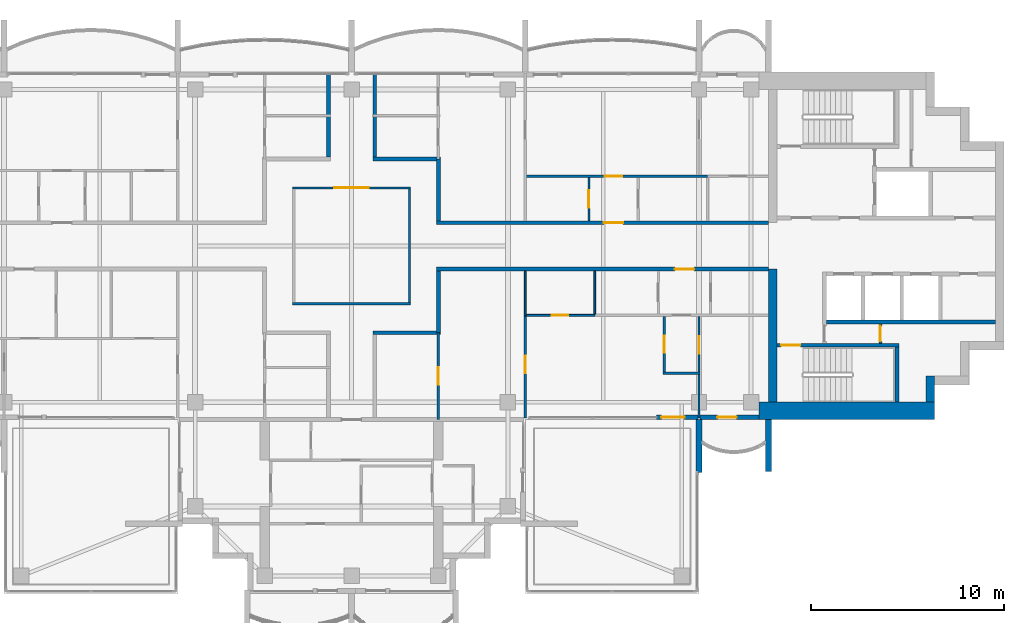
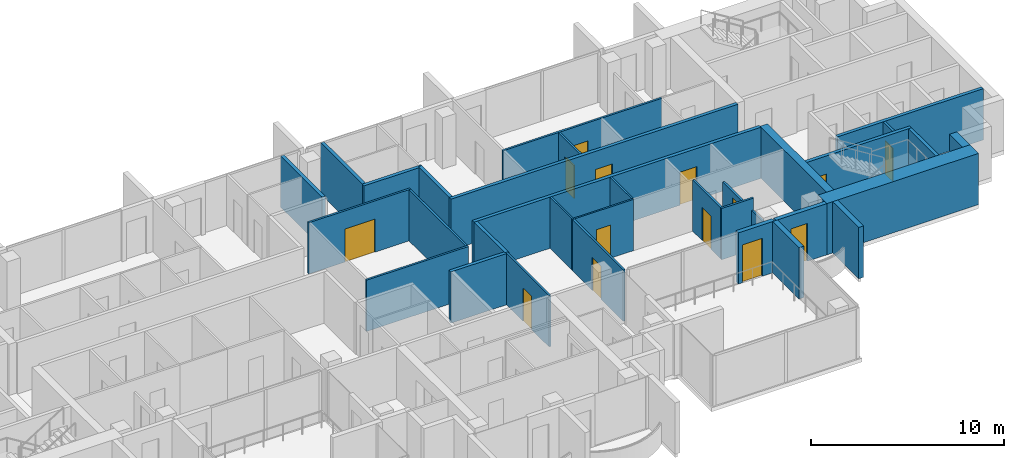
# One storey, part 10 of 16: 32 walls, 14 doors, 14 openings.
"""IFC4 building model written with IfcOpenShell, lengths in metres."""

from ifc_helpers import new_model, si_unit, direction, frame, frame_2d, origin, place, context, subcontext, project, spatial, rectangle, extrude, material, layer, layer_set, type_object, element, fill, save


model = new_model("IFC4")

# Units and contexts
model_context = context("Model", 3, precision=1e-05, world=origin(), true_north=direction((0.0, 1.0)))
body_context = subcontext(model_context, "Body", "Model", "MODEL_VIEW")
ifc_project = project(units=[si_unit("LENGTHUNIT", "METRE"), si_unit("AREAUNIT", "SQUARE_METRE"), si_unit("VOLUMEUNIT", "CUBIC_METRE"), si_unit("PLANEANGLEUNIT", "RADIAN"), si_unit("MASSUNIT", "GRAM", prefix="KILO")], contexts=[model_context])

# Site, building, storey
site_placement = place(None, origin())
site = spatial("IfcSite", under=ifc_project, at=site_placement, CompositionType="ELEMENT")
building_placement = place(site_placement, origin())
building = spatial("IfcBuilding", under=site, at=building_placement, Name="Perihelion Cross Residences", CompositionType="ELEMENT")
storey_placement = place(building_placement, frame((0.0, 0.0, 257.0)))
storey = spatial("IfcBuildingStorey", under=building, at=storey_placement, Name="L65", CompositionType="ELEMENT", Elevation=257.0)

# Wall, opening, door
ifc_material_1 = material(Name="Plasterboard partition")
ifc_layer_1 = layer(ifc_material_1, 0.199951171875)
ifc_layer_set_1 = layer_set([ifc_layer_1], Name="Apartment separation wall 200")
wall_type_1 = type_object("IfcWallType", Name="Apartment separation wall 200", PredefinedType="PARTITIONING", material=ifc_layer_set_1)
wall_1_placement = place(storey_placement, frame((4.39990234375, 1.199951171875, 0.0), z_axis=(0.0, 0.0, 1.0), x_axis=(1.0, 0.0, 0.0)))
wall_1 = element("IfcWall", 1, at=wall_1_placement, inside=storey, type_object=wall_type_1, Name="Partition L65 W005", PredefinedType="PARTITIONING", context=body_context, shape_type="SweptSolid", body=[
    extrude(rectangle(XDim=17.2001953125, YDim=0.199951171875, at=frame_2d((8.60009765625, 0.0))), origin(), (0.0, 0.0, 1.0), 3.25),
])
opening_1_placement = place(wall_1_placement, frame((8.675048828125, 0.0, 0.0)))
opening_1 = element("IfcOpeningElement", 2, at=opening_1_placement, cuts=wall_1, Name="Opening L65.A40", PredefinedType="OPENING", context=body_context, shape_type="SweptSolid", body=[
    extrude(rectangle(XDim=1.0, YDim=2.10009765625, at=frame_2d((0.5, 1.050048828125))), frame((0.0, 0.10986328125, 0.0), z_axis=(0.0, -1.0, 0.0), x_axis=(1.0, 0.0, 0.0)), (0.0, 0.0, 1.0), 0.219970703125),
])
ifc_material_2 = material(Name="Timber door leaf", Category="wood")
door_type_1 = type_object("IfcDoorType", Name="Flat entrance door 1000 x 2100", OperationType="SINGLE_SWING_LEFT", PredefinedType="DOOR", material=ifc_material_2)
door_1_placement = place(opening_1_placement, origin())
door_1 = element("IfcDoor", 3, at=door_1_placement, inside=storey, type_object=door_type_1, Name="Door L65.A40", OperationType="SINGLE_SWING_LEFT", OverallHeight=2.10009765625, OverallWidth=1.0, PredefinedType="DOOR", context=body_context, shape_type="SweptSolid", body=[
    extrude(rectangle(XDim=1.0, YDim=2.10009765625, at=frame_2d((0.5, 1.050048828125))), frame((0.0, 0.02490234375, 0.0), z_axis=(0.0, -1.0, 0.0), x_axis=(1.0, 0.0, 0.0)), (0.0, 0.0, 1.0), 0.050048828125),
])
fill(opening_1, door_1)

# Walls
wall_2_placement = place(storey_placement, frame((4.5, 4.5, 0.0), z_axis=(0.0, 0.0, 1.0), x_axis=(0.0, -1.0, 0.0)))
element("IfcWall", 4, at=wall_2_placement, inside=storey, type_object=wall_type_1, Name="Partition L65 W006", PredefinedType="PARTITIONING", context=body_context, shape_type="SweptSolid", body=[
    extrude(rectangle(XDim=3.199951171875, YDim=0.199951171875, at=frame_2d((1.60009765625, 0.0))), origin(), (0.0, 0.0, 1.0), 3.25),
])
wall_3_placement = place(storey_placement, frame((1.199951171875, 8.919921875, 0.0), z_axis=(0.0, 0.0, 1.0), x_axis=(0.0, -1.0, 0.0)))
element("IfcWall", 5, at=wall_3_placement, inside=storey, type_object=wall_type_1, Name="Partition L65 W007", PredefinedType="PARTITIONING", context=body_context, shape_type="SweptSolid", body=[
    extrude(rectangle(XDim=4.31982421875, YDim=0.199951171875, at=frame_2d((2.159912109375, 0.0))), origin(), (0.0, 0.0, 1.0), 3.25),
])
wall_4_placement = place(storey_placement, frame((1.10009765625, 4.5, 0.0), z_axis=(0.0, 0.0, 1.0), x_axis=(1.0, 0.0, 0.0)))
element("IfcWall", 6, at=wall_4_placement, inside=storey, type_object=wall_type_1, Name="Partition L65 W008", PredefinedType="PARTITIONING", context=body_context, shape_type="SweptSolid", body=[
    extrude(rectangle(XDim=3.5, YDim=0.199951171875, at=frame_2d((1.75, 0.0))), origin(), (0.0, 0.0, 1.0), 3.25),
])

# Wall, opening, door
wall_5_placement = place(storey_placement, frame((21.60009765625, -1.199951171875, 0.0), z_axis=(0.0, 0.0, 1.0), x_axis=(-1.0, 0.0, 0.0)))
wall_5 = element("IfcWall", 7, at=wall_5_placement, inside=storey, type_object=wall_type_1, Name="Partition L65 W009", PredefinedType="PARTITIONING", context=body_context, shape_type="SweptSolid", body=[
    extrude(rectangle(XDim=17.2001953125, YDim=0.199951171875, at=frame_2d((8.60009765625, 0.0))), origin(), (0.0, 0.0, 1.0), 3.25),
])
opening_2_placement = place(wall_5_placement, frame((3.85009765625, 0.0, 0.0)))
opening_2 = element("IfcOpeningElement", 8, at=opening_2_placement, cuts=wall_5, Name="Opening L65.A41", PredefinedType="OPENING", context=body_context, shape_type="SweptSolid", body=[
    extrude(rectangle(XDim=1.0, YDim=2.10009765625, at=frame_2d((0.5, 1.050048828125))), frame((0.0, 0.10986328125, 0.0), z_axis=(0.0, -1.0, 0.0), x_axis=(1.0, 0.0, 0.0)), (0.0, 0.0, 1.0), 0.219970703125),
])
door_2_placement = place(opening_2_placement, origin())
door_2 = element("IfcDoor", 9, at=door_2_placement, inside=storey, type_object=door_type_1, Name="Door L65.A41", OperationType="SINGLE_SWING_LEFT", OverallHeight=2.10009765625, OverallWidth=1.0, PredefinedType="DOOR", context=body_context, shape_type="SweptSolid", body=[
    extrude(rectangle(XDim=1.0, YDim=2.10009765625, at=frame_2d((0.5, 1.050048828125))), frame((0.0, 0.02490234375, 0.0), z_axis=(0.0, -1.0, 0.0), x_axis=(1.0, 0.0, 0.0)), (0.0, 0.0, 1.0), 0.050048828125),
])
fill(opening_2, door_2)

# Walls
wall_6_placement = place(storey_placement, frame((4.5, -1.300048828125, 0.0), z_axis=(0.0, 0.0, 1.0), x_axis=(0.0, -1.0, 0.0)))
element("IfcWall", 10, at=wall_6_placement, inside=storey, type_object=wall_type_1, Name="Partition L65 W010", PredefinedType="PARTITIONING", context=body_context, shape_type="SweptSolid", body=[
    extrude(rectangle(XDim=3.199951171875, YDim=0.199951171875, at=frame_2d((1.60009765625, 0.0))), origin(), (0.0, 0.0, 1.0), 3.25),
])
wall_7_placement = place(storey_placement, frame((4.60009765625, -4.5, 0.0), z_axis=(0.0, 0.0, 1.0), x_axis=(-1.0, 0.0, 0.0)))
element("IfcWall", 11, at=wall_7_placement, inside=storey, type_object=wall_type_1, Name="Partition L65 W011", PredefinedType="PARTITIONING", context=body_context, shape_type="SweptSolid", body=[
    extrude(rectangle(XDim=3.5, YDim=0.199951171875, at=frame_2d((1.75, 0.0))), origin(), (0.0, 0.0, 1.0), 3.25),
])
wall_8_placement = place(storey_placement, frame((-1.199951171875, 4.60009765625, 0.0), z_axis=(0.0, 0.0, 1.0), x_axis=(0.0, 1.0, 0.0)))
element("IfcWall", 12, at=wall_8_placement, inside=storey, type_object=wall_type_1, Name="Partition L65 W016", PredefinedType="PARTITIONING", context=body_context, shape_type="SweptSolid", body=[
    extrude(rectangle(XDim=4.31982421875, YDim=0.199951171875, at=frame_2d((2.159912109375, 0.0))), origin(), (0.0, 0.0, 1.0), 3.25),
])

# Wall, opening, door
ifc_material_3 = material(Name="Concrete C30/37, bronze-clad", Category="concrete")
ifc_layer_2 = layer(ifc_material_3, 0.25)
ifc_layer_set_2 = layer_set([ifc_layer_2], Name="Bronze-clad pier wall 250")
wall_type_2 = type_object("IfcWallType", Name="Bronze-clad pier wall 250", PredefinedType="SOLIDWALL", material=ifc_layer_set_2)
wall_9_placement = place(storey_placement, frame((15.800048828125, -8.875, 0.0), z_axis=(0.0, 0.0, 1.0), x_axis=(1.0, 0.0, 0.0)))
wall_9 = element("IfcWall", 13, at=wall_9_placement, inside=storey, type_object=wall_type_2, Name="Wall FW1 L65 east side south bay 1 pier", PredefinedType="SOLIDWALL", context=body_context, shape_type="SweptSolid", body=[
    extrude(rectangle(XDim=2.139892578125, YDim=0.25, at=frame_2d((1.06982421875, 0.0))), origin(), (0.0, 0.0, 1.0), 3.25),
])
opening_3_placement = place(wall_9_placement, frame((0.25, 0.0, 0.0)))
opening_3 = element("IfcOpeningElement", 14, at=opening_3_placement, cuts=wall_9, Name="Opening L65.E13", PredefinedType="OPENING", context=body_context, shape_type="SweptSolid", body=[
    extrude(rectangle(XDim=1.199951171875, YDim=2.39990234375, at=frame_2d((0.60009765625, 1.199951171875))), frame((0.0, 0.135009765625, 0.0), z_axis=(0.0, -1.0, 0.0), x_axis=(1.0, 0.0, 0.0)), (0.0, 0.0, 1.0), 0.27001953125),
])
ifc_material_4 = material(Name="Bronze anodised aluminium, glazed", Category="aluminium")
door_type_2 = type_object("IfcDoorType", Name="Balcony door 1200 x 2400", OperationType="NOTDEFINED", PredefinedType="DOOR", material=ifc_material_4)
door_3_placement = place(opening_3_placement, origin())
door_3 = element("IfcDoor", 15, at=door_3_placement, inside=storey, type_object=door_type_2, Name="Door L65.E13 east side south bay 1", OperationType="SINGLE_SWING_LEFT", OverallHeight=2.39990234375, OverallWidth=1.199951171875, PredefinedType="DOOR", context=body_context, shape_type="SweptSolid", body=[
    extrude(rectangle(XDim=1.199951171875, YDim=2.39990234375, at=frame_2d((0.60009765625, 1.199951171875))), frame((0.0, 0.02490234375, 0.0), z_axis=(0.0, -1.0, 0.0), x_axis=(1.0, 0.0, 0.0)), (0.0, 0.0, 1.0), 0.050048828125),
])
fill(opening_3, door_3)

wall_10_placement = place(storey_placement, frame((18.06005859375, -8.875, 0.0), z_axis=(0.0, 0.0, 1.0), x_axis=(1.0, 0.0, 0.0)))
wall_10 = element("IfcWall", 16, at=wall_10_placement, inside=storey, type_object=wall_type_2, Name="Wall FW1 L65 east side south bay 2 pier", PredefinedType="SOLIDWALL", context=body_context, shape_type="SweptSolid", body=[
    extrude(rectangle(XDim=3.0400390625, YDim=0.25, at=frame_2d((1.52001953125, 0.0))), origin(), (0.0, 0.0, 1.0), 3.25),
])
opening_4_placement = place(wall_10_placement, frame((0.889892578125, 0.0, 0.0)))
opening_4 = element("IfcOpeningElement", 17, at=opening_4_placement, cuts=wall_10, Name="Opening L65.E14", PredefinedType="OPENING", context=body_context, shape_type="SweptSolid", body=[
    extrude(rectangle(XDim=1.0, YDim=2.39990234375, at=frame_2d((0.5, 1.199951171875))), frame((0.0, 0.135009765625, 0.0), z_axis=(0.0, -1.0, 0.0), x_axis=(1.0, 0.0, 0.0)), (0.0, 0.0, 1.0), 0.27001953125),
])
ifc_material_5 = material(Name="Bronze anodised aluminium, glazed", Category="aluminium")
door_type_3 = type_object("IfcDoorType", Name="Balcony door 1000 x 2400", OperationType="NOTDEFINED", PredefinedType="DOOR", material=ifc_material_5)
door_4_placement = place(opening_4_placement, origin())
door_4 = element("IfcDoor", 18, at=door_4_placement, inside=storey, type_object=door_type_3, Name="Door L65.E14 east side south bay 2", OperationType="SINGLE_SWING_RIGHT", OverallHeight=2.39990234375, OverallWidth=1.0, PredefinedType="DOOR", context=body_context, shape_type="SweptSolid", body=[
    extrude(rectangle(XDim=1.0, YDim=2.39990234375, at=frame_2d((0.5, 1.199951171875))), frame((0.0, 0.02490234375, 0.0), z_axis=(0.0, -1.0, 0.0), x_axis=(1.0, 0.0, 0.0)), (0.0, 0.0, 1.0), 0.050048828125),
])
fill(opening_4, door_4)

# Walls
ifc_material_6 = material(Name="Concrete C60/75", Category="concrete")
ifc_layer_3 = layer(ifc_material_6, 0.449951171875)
ifc_layer_set_3 = layer_set([ifc_layer_3], Name="Core wall, inner 450")
wall_type_3 = type_object("IfcWallType", Name="Core wall, inner 450", PredefinedType="SHEAR", material=ifc_layer_set_3)
wall_11_placement = place(storey_placement, frame((21.824951171875, -8.10009765625, 0.0), z_axis=(0.0, 0.0, 1.0), x_axis=(0.0, 1.0, 0.0)))
element("IfcWall", 19, at=wall_11_placement, inside=storey, type_object=wall_type_3, Name="East core core wall, inner", PredefinedType="SHEAR", context=body_context, shape_type="SweptSolid", body=[
    extrude(rectangle(XDim=6.900146484375, YDim=0.449951171875, at=frame_2d((3.4501953125, 0.0))), origin(), (0.0, 0.0, 1.0), 3.25),
])
ifc_material_7 = material(Name="Concrete C60/75", Category="concrete")
ifc_layer_4 = layer(ifc_material_7, 0.449951171875)
ifc_layer_set_4 = layer_set([ifc_layer_4], Name="Core wall, outer 450")
wall_type_4 = type_object("IfcWallType", Name="Core wall, outer 450", PredefinedType="SHEAR", material=ifc_layer_set_4)
wall_12_placement = place(storey_placement, frame((29.97509765625, -8.10009765625, 0.0), z_axis=(0.0, 0.0, 1.0), x_axis=(0.0, 1.0, 0.0)))
element("IfcWall", 20, at=wall_12_placement, inside=storey, type_object=wall_type_4, Name="East core core wall, outer", PredefinedType="SHEAR", context=body_context, shape_type="SweptSolid", body=[
    extrude(rectangle(XDim=1.35009765625, YDim=0.449951171875, at=frame_2d((0.675048828125, 0.0))), origin(), (0.0, 0.0, 1.0), 3.25),
])
ifc_material_8 = material(Name="Concrete C60/75", Category="concrete")
ifc_layer_5 = layer(ifc_material_8, 0.89990234375)
ifc_layer_set_5 = layer_set([ifc_layer_5], Name="Core wall, outer 900")
wall_type_5 = type_object("IfcWallType", Name="Core wall, outer 900", PredefinedType="SHEAR", material=ifc_layer_set_5)
wall_13_placement = place(storey_placement, frame((21.10009765625, -8.550048828125, 0.0), z_axis=(0.0, 0.0, 1.0), x_axis=(1.0, 0.0, 0.0)))
element("IfcWall", 21, at=wall_13_placement, inside=storey, type_object=wall_type_5, Name="East core core wall, outer", PredefinedType="SHEAR", context=body_context, shape_type="SweptSolid", body=[
    extrude(rectangle(XDim=9.099853515625, YDim=0.89990234375, at=frame_2d((4.5498046875, 0.0))), origin(), (0.0, 0.0, 1.0), 3.25),
])
ifc_material_9 = material(Name="Plasterboard partition")
ifc_layer_6 = layer(ifc_material_9, 0.1201171875)
ifc_layer_set_6 = layer_set([ifc_layer_6], Name="Partition wall 120")
wall_type_6 = type_object("IfcWallType", Name="Partition wall 120", PredefinedType="PARTITIONING", material=ifc_layer_set_6)
wall_14_placement = place(storey_placement, frame((-3.06005859375, -3.0, 0.0), z_axis=(0.0, 0.0, 1.0), x_axis=(1.0, 0.0, 0.0)))
element("IfcWall", 22, at=wall_14_placement, inside=storey, type_object=wall_type_6, Name="Partition L65 W001", PredefinedType="PARTITIONING", context=body_context, shape_type="SweptSolid", body=[
    extrude(rectangle(XDim=6.1201171875, YDim=0.1201171875, at=frame_2d((3.06005859375, 0.0))), origin(), (0.0, 0.0, 1.0), 3.25),
])
wall_15_placement = place(storey_placement, frame((3.0, -2.93994140625, 0.0), z_axis=(0.0, 0.0, 1.0), x_axis=(0.0, 1.0, 0.0)))
element("IfcWall", 23, at=wall_15_placement, inside=storey, type_object=wall_type_6, Name="Partition L65 W002", PredefinedType="PARTITIONING", context=body_context, shape_type="SweptSolid", body=[
    extrude(rectangle(XDim=5.8798828125, YDim=0.1201171875, at=frame_2d((2.93994140625, 0.0))), origin(), (0.0, 0.0, 1.0), 3.25),
])

# Wall, opening, door
wall_16_placement = place(storey_placement, frame((3.06005859375, 3.0, 0.0), z_axis=(0.0, 0.0, 1.0), x_axis=(-1.0, 0.0, 0.0)))
wall_16 = element("IfcWall", 24, at=wall_16_placement, inside=storey, type_object=wall_type_6, Name="Partition L65 W003", PredefinedType="PARTITIONING", context=body_context, shape_type="SweptSolid", body=[
    extrude(rectangle(XDim=6.1201171875, YDim=0.1201171875, at=frame_2d((3.06005859375, 0.0))), origin(), (0.0, 0.0, 1.0), 3.25),
])
opening_5_placement = place(wall_16_placement, frame((2.159912109375, 0.0, 0.0)))
opening_5 = element("IfcOpeningElement", 25, at=opening_5_placement, cuts=wall_16, Name="Opening L65.A01", PredefinedType="OPENING", context=body_context, shape_type="SweptSolid", body=[
    extrude(rectangle(XDim=1.800048828125, YDim=2.10009765625, at=frame_2d((0.89990234375, 1.050048828125))), frame((0.0, 0.070068359375, 0.0), z_axis=(0.0, -1.0, 0.0), x_axis=(1.0, 0.0, 0.0)), (0.0, 0.0, 1.0), 0.14013671875),
])
ifc_material_10 = material(Name="Glazed timber door leaf", Category="wood")
door_type_4 = type_object("IfcDoorType", Name="Interior double leaf door 1800 x 2100", OperationType="DOUBLE_DOOR_SINGLE_SWING", PredefinedType="DOOR", material=ifc_material_10)
door_5_placement = place(opening_5_placement, origin())
door_5 = element("IfcDoor", 26, at=door_5_placement, inside=storey, type_object=door_type_4, Name="Door L65.A01", OperationType="SINGLE_SWING_LEFT", OverallHeight=2.10009765625, OverallWidth=1.800048828125, PredefinedType="DOOR", context=body_context, shape_type="SweptSolid", body=[
    extrude(rectangle(XDim=1.800048828125, YDim=2.10009765625, at=frame_2d((0.89990234375, 1.050048828125))), frame((0.0, 0.02490234375, 0.0), z_axis=(0.0, -1.0, 0.0), x_axis=(1.0, 0.0, 0.0)), (0.0, 0.0, 1.0), 0.050048828125),
])
fill(opening_5, door_5)

wall_17_placement = place(storey_placement, frame((12.300048828125, 3.5400390625, 0.0), z_axis=(0.0, 0.0, 1.0), x_axis=(0.0, -1.0, 0.0)))
wall_17 = element("IfcWall", 27, at=wall_17_placement, inside=storey, type_object=wall_type_6, Name="Partition L65 W022", PredefinedType="PARTITIONING", context=body_context, shape_type="SweptSolid", body=[
    extrude(rectangle(XDim=2.239990234375, YDim=0.1201171875, at=frame_2d((1.1201171875, 0.0))), origin(), (0.0, 0.0, 1.0), 3.25),
])
opening_6_placement = place(wall_17_placement, frame((0.669921875, 0.0, 0.0)))
opening_6 = element("IfcOpeningElement", 28, at=opening_6_placement, cuts=wall_17, Name="Opening L65.A05", PredefinedType="OPENING", context=body_context, shape_type="SweptSolid", body=[
    extrude(rectangle(XDim=0.89990234375, YDim=2.10009765625, at=frame_2d((0.449951171875, 1.050048828125))), frame((0.0, 0.070068359375, 0.0), z_axis=(0.0, -1.0, 0.0), x_axis=(1.0, 0.0, 0.0)), (0.0, 0.0, 1.0), 0.14013671875),
])
ifc_material_11 = material(Name="Timber door leaf", Category="wood")
door_type_5 = type_object("IfcDoorType", Name="Interior room door 900 x 2100", OperationType="SINGLE_SWING_LEFT", PredefinedType="DOOR", material=ifc_material_11)
door_6_placement = place(opening_6_placement, origin())
door_6 = element("IfcDoor", 29, at=door_6_placement, inside=storey, type_object=door_type_5, Name="Door L65.A05", OperationType="SINGLE_SWING_RIGHT", OverallHeight=2.10009765625, OverallWidth=0.89990234375, PredefinedType="DOOR", context=body_context, shape_type="SweptSolid", body=[
    extrude(rectangle(XDim=0.89990234375, YDim=2.10009765625, at=frame_2d((0.449951171875, 1.050048828125))), frame((0.0, 0.02490234375, 0.0), z_axis=(0.0, -1.0, 0.0), x_axis=(1.0, 0.0, 0.0)), (0.0, 0.0, 1.0), 0.050048828125),
])
fill(opening_6, door_6)

wall_18_placement = place(storey_placement, frame((8.93994140625, 3.60009765625, 0.0), z_axis=(0.0, 0.0, 1.0), x_axis=(1.0, 0.0, 0.0)))
wall_18 = element("IfcWall", 30, at=wall_18_placement, inside=storey, type_object=wall_type_6, Name="Partition L65 W023", PredefinedType="PARTITIONING", context=body_context, shape_type="SweptSolid", body=[
    extrude(rectangle(XDim=9.510009765625, YDim=0.1201171875, at=frame_2d((4.7548828125, 0.0))), origin(), (0.0, 0.0, 1.0), 3.25),
])
opening_7_placement = place(wall_18_placement, frame((4.18505859375, 0.0, 0.0)))
opening_7 = element("IfcOpeningElement", 31, at=opening_7_placement, cuts=wall_18, Name="Opening L65.A07", PredefinedType="OPENING", context=body_context, shape_type="SweptSolid", body=[
    extrude(rectangle(XDim=0.89990234375, YDim=2.10009765625, at=frame_2d((0.449951171875, 1.050048828125))), frame((0.0, 0.070068359375, 0.0), z_axis=(0.0, -1.0, 0.0), x_axis=(1.0, 0.0, 0.0)), (0.0, 0.0, 1.0), 0.14013671875),
])
door_7_placement = place(opening_7_placement, origin())
door_7 = element("IfcDoor", 32, at=door_7_placement, inside=storey, type_object=door_type_5, Name="Door L65.A07", OperationType="SINGLE_SWING_RIGHT", OverallHeight=2.10009765625, OverallWidth=0.89990234375, PredefinedType="DOOR", context=body_context, shape_type="SweptSolid", body=[
    extrude(rectangle(XDim=0.89990234375, YDim=2.10009765625, at=frame_2d((0.449951171875, 1.050048828125))), frame((0.0, 0.02490234375, 0.0), z_axis=(0.0, -1.0, 0.0), x_axis=(1.0, 0.0, 0.0)), (0.0, 0.0, 1.0), 0.050048828125),
])
fill(opening_7, door_7)

wall_19_placement = place(storey_placement, frame((16.199951171875, -3.659912109375, 0.0), z_axis=(0.0, 0.0, 1.0), x_axis=(0.0, -1.0, 0.0)))
wall_19 = element("IfcWall", 33, at=wall_19_placement, inside=storey, type_object=wall_type_6, Name="Partition L65 W038", PredefinedType="PARTITIONING", context=body_context, shape_type="SweptSolid", body=[
    extrude(rectangle(XDim=2.880126953125, YDim=0.1201171875, at=frame_2d((1.43994140625, 0.0))), origin(), (0.0, 0.0, 1.0), 3.25),
])
opening_8_placement = place(wall_19_placement, frame((0.989990234375, 0.0, 0.0)))
opening_8 = element("IfcOpeningElement", 34, at=opening_8_placement, cuts=wall_19, Name="Opening L65.A14", PredefinedType="OPENING", context=body_context, shape_type="SweptSolid", body=[
    extrude(rectangle(XDim=0.89990234375, YDim=2.10009765625, at=frame_2d((0.449951171875, 1.050048828125))), frame((0.0, 0.070068359375, 0.0), z_axis=(0.0, -1.0, 0.0), x_axis=(1.0, 0.0, 0.0)), (0.0, 0.0, 1.0), 0.14013671875),
])
door_8_placement = place(opening_8_placement, origin())
door_8 = element("IfcDoor", 35, at=door_8_placement, inside=storey, type_object=door_type_5, Name="Door L65.A14", OperationType="SINGLE_SWING_LEFT", OverallHeight=2.10009765625, OverallWidth=0.89990234375, PredefinedType="DOOR", context=body_context, shape_type="SweptSolid", body=[
    extrude(rectangle(XDim=0.89990234375, YDim=2.10009765625, at=frame_2d((0.449951171875, 1.050048828125))), frame((0.0, 0.02490234375, 0.0), z_axis=(0.0, -1.0, 0.0), x_axis=(1.0, 0.0, 0.0)), (0.0, 0.0, 1.0), 0.050048828125),
])
fill(opening_8, door_8)

# Wall
wall_20_placement = place(storey_placement, frame((16.139892578125, -6.60009765625, 0.0), z_axis=(0.0, 0.0, 1.0), x_axis=(1.0, 0.0, 0.0)))
element("IfcWall", 36, at=wall_20_placement, inside=storey, type_object=wall_type_6, Name="Partition L65 W039", PredefinedType="PARTITIONING", context=body_context, shape_type="SweptSolid", body=[
    extrude(rectangle(XDim=1.920166015625, YDim=0.1201171875, at=frame_2d((0.9599609375, 0.0))), origin(), (0.0, 0.0, 1.0), 3.25),
])

# Wall, opening, door
wall_21_placement = place(storey_placement, frame((18.0, -3.659912109375, 0.0), z_axis=(0.0, 0.0, 1.0), x_axis=(0.0, -1.0, 0.0)))
wall_21 = element("IfcWall", 37, at=wall_21_placement, inside=storey, type_object=wall_type_6, Name="Partition L65 W040", PredefinedType="PARTITIONING", context=body_context, shape_type="SweptSolid", body=[
    extrude(rectangle(XDim=5.260009765625, YDim=0.1201171875, at=frame_2d((2.6298828125, 0.0))), origin(), (0.0, 0.0, 1.0), 2.49609375),
])
opening_9_placement = place(wall_21_placement, frame((1.02001953125, 0.0, 0.0)))
opening_9 = element("IfcOpeningElement", 38, at=opening_9_placement, cuts=wall_21, Name="Opening L65.A16", PredefinedType="OPENING", context=body_context, shape_type="SweptSolid", body=[
    extrude(rectangle(XDim=0.89990234375, YDim=2.10009765625, at=frame_2d((0.449951171875, 1.050048828125))), frame((0.0, 0.070068359375, 0.0), z_axis=(0.0, -1.0, 0.0), x_axis=(1.0, 0.0, 0.0)), (0.0, 0.0, 1.0), 0.14013671875),
])
door_9_placement = place(opening_9_placement, origin())
door_9 = element("IfcDoor", 39, at=door_9_placement, inside=storey, type_object=door_type_5, Name="Door L65.A16", OperationType="SINGLE_SWING_RIGHT", OverallHeight=2.10009765625, OverallWidth=0.89990234375, PredefinedType="DOOR", context=body_context, shape_type="SweptSolid", body=[
    extrude(rectangle(XDim=0.89990234375, YDim=2.10009765625, at=frame_2d((0.449951171875, 1.050048828125))), frame((0.0, 0.02490234375, 0.0), z_axis=(0.0, -1.0, 0.0), x_axis=(1.0, 0.0, 0.0)), (0.0, 0.0, 1.0), 0.050048828125),
])
fill(opening_9, door_9)

wall_22_placement = place(storey_placement, frame((9.0, -8.919921875, 0.0), z_axis=(0.0, 0.0, 1.0), x_axis=(0.0, 1.0, 0.0)))
wall_22 = element("IfcWall", 40, at=wall_22_placement, inside=storey, type_object=wall_type_6, Name="Partition L65 W041", PredefinedType="PARTITIONING", context=body_context, shape_type="SweptSolid", body=[
    extrude(rectangle(XDim=5.31982421875, YDim=0.1201171875, at=frame_2d((2.659912109375, 0.0))), origin(), (0.0, 0.0, 1.0), 3.25),
])
opening_10_placement = place(wall_22_placement, frame((2.320068359375, 0.0, 0.0)))
opening_10 = element("IfcOpeningElement", 41, at=opening_10_placement, cuts=wall_22, Name="Opening L65.A13", PredefinedType="OPENING", context=body_context, shape_type="SweptSolid", body=[
    extrude(rectangle(XDim=0.89990234375, YDim=2.10009765625, at=frame_2d((0.449951171875, 1.050048828125))), frame((0.0, 0.070068359375, 0.0), z_axis=(0.0, -1.0, 0.0), x_axis=(1.0, 0.0, 0.0)), (0.0, 0.0, 1.0), 0.14013671875),
])
door_10_placement = place(opening_10_placement, origin())
door_10 = element("IfcDoor", 42, at=door_10_placement, inside=storey, type_object=door_type_5, Name="Door L65.A13", OperationType="SINGLE_SWING_LEFT", OverallHeight=2.10009765625, OverallWidth=0.89990234375, PredefinedType="DOOR", context=body_context, shape_type="SweptSolid", body=[
    extrude(rectangle(XDim=0.89990234375, YDim=2.10009765625, at=frame_2d((0.449951171875, 1.050048828125))), frame((0.0, 0.02490234375, 0.0), z_axis=(0.0, -1.0, 0.0), x_axis=(1.0, 0.0, 0.0)), (0.0, 0.0, 1.0), 0.050048828125),
])
fill(opening_10, door_10)

wall_23_placement = place(storey_placement, frame((4.5, -9.0, 0.0), z_axis=(0.0, 0.0, 1.0), x_axis=(0.0, 1.0, 0.0)))
wall_23 = element("IfcWall", 43, at=wall_23_placement, inside=storey, type_object=wall_type_6, Name="Partition L65 W042", PredefinedType="PARTITIONING", context=body_context, shape_type="SweptSolid", body=[
    extrude(rectangle(XDim=4.5, YDim=0.1201171875, at=frame_2d((2.25, 0.0))), origin(), (0.0, 0.0, 1.0), 3.25),
])
opening_11_placement = place(wall_23_placement, frame((1.800048828125, 0.0, 0.0)))
opening_11 = element("IfcOpeningElement", 44, at=opening_11_placement, cuts=wall_23, Name="Opening L65.A15", PredefinedType="OPENING", context=body_context, shape_type="SweptSolid", body=[
    extrude(rectangle(XDim=0.89990234375, YDim=2.10009765625, at=frame_2d((0.449951171875, 1.050048828125))), frame((0.0, 0.070068359375, 0.0), z_axis=(0.0, -1.0, 0.0), x_axis=(1.0, 0.0, 0.0)), (0.0, 0.0, 1.0), 0.14013671875),
])
door_11_placement = place(opening_11_placement, origin())
door_11 = element("IfcDoor", 45, at=door_11_placement, inside=storey, type_object=door_type_5, Name="Door L65.A15", OperationType="SINGLE_SWING_RIGHT", OverallHeight=2.10009765625, OverallWidth=0.89990234375, PredefinedType="DOOR", context=body_context, shape_type="SweptSolid", body=[
    extrude(rectangle(XDim=0.89990234375, YDim=2.10009765625, at=frame_2d((0.449951171875, 1.050048828125))), frame((0.0, 0.02490234375, 0.0), z_axis=(0.0, -1.0, 0.0), x_axis=(1.0, 0.0, 0.0)), (0.0, 0.0, 1.0), 0.050048828125),
])
fill(opening_11, door_11)

# Walls
ifc_material_12 = material(Name="Precast concrete C50/60", Category="concrete")
ifc_layer_7 = layer(ifc_material_12, 0.300048828125)
ifc_layer_set_7 = layer_set([ifc_layer_7], Name="Precast concrete C50/60 blade wall 300")
wall_type_7 = type_object("IfcWallType", Name="Precast concrete C50/60 blade wall 300", PredefinedType="SOLIDWALL", material=ifc_layer_set_7)
wall_24_placement = place(storey_placement, frame((18.0, -9.0, 0.0), z_axis=(0.0, 0.0, 1.0), x_axis=(0.0, -1.0, 0.0)))
element("IfcWall", 46, at=wall_24_placement, inside=storey, type_object=wall_type_7, Name="Wall BL1 L65 no. 10", PredefinedType="SOLIDWALL", context=body_context, shape_type="SweptSolid", body=[
    extrude(rectangle(XDim=2.739990234375, YDim=0.300048828125, at=frame_2d((1.3701171875, 0.0))), origin(), (0.0, 0.0, 1.0), 3.25),
])
wall_25_placement = place(storey_placement, frame((21.60009765625, -9.0, 0.0), z_axis=(0.0, 0.0, 1.0), x_axis=(0.0, -1.0, 0.0)))
element("IfcWall", 47, at=wall_25_placement, inside=storey, type_object=wall_type_7, Name="Wall BL1 L65 no. 12", PredefinedType="SOLIDWALL", context=body_context, shape_type="SweptSolid", body=[
    extrude(rectangle(XDim=2.699951171875, YDim=0.300048828125, at=frame_2d((1.35009765625, 0.0))), origin(), (0.0, 0.0, 1.0), 3.25),
])

# Wall, opening, door
ifc_material_13 = material(Name="Fire-rated board on steel stud", Category="steel")
ifc_layer_8 = layer(ifc_material_13, 0.14990234375)
ifc_layer_set_8 = layer_set([ifc_layer_8], Name="Riser wall 150")
wall_type_8 = type_object("IfcWallType", Name="Riser wall 150", PredefinedType="PARTITIONING", material=ifc_layer_set_8)
wall_26_placement = place(storey_placement, frame((27.39990234375, -5.050048828125, 0.0), z_axis=(0.0, 0.0, 1.0), x_axis=(0.0, 1.0, 0.0)))
wall_26 = element("IfcWall", 48, at=wall_26_placement, inside=storey, type_object=wall_type_8, Name="East core riser wall", PredefinedType="PARTITIONING", context=body_context, shape_type="SweptSolid", body=[
    extrude(rectangle(XDim=1.0, YDim=0.14990234375, at=frame_2d((0.5, 0.0))), origin(), (0.0, 0.0, 1.0), 3.25),
])
opening_12_placement = place(wall_26_placement, frame((0.10009765625, 0.0, 0.0)))
opening_12 = element("IfcOpeningElement", 49, at=opening_12_placement, cuts=wall_26, Name="Opening L65.C11", PredefinedType="OPENING", context=body_context, shape_type="SweptSolid", body=[
    extrude(rectangle(XDim=0.800048828125, YDim=2.10009765625, at=frame_2d((0.39990234375, 1.050048828125))), frame((0.0, 0.0849609375, 0.0), z_axis=(0.0, -1.0, 0.0), x_axis=(1.0, 0.0, 0.0)), (0.0, 0.0, 1.0), 0.169921875),
])
ifc_material_14 = material(Name="Steel, powder coated", Category="steel")
door_type_6 = type_object("IfcDoorType", Name="Riser door 800", OperationType="SINGLE_SWING_LEFT", PredefinedType="DOOR", material=ifc_material_14)
door_12_placement = place(opening_12_placement, origin())
door_12 = element("IfcDoor", 50, at=door_12_placement, inside=storey, type_object=door_type_6, Name="East core riser door", OperationType="SINGLE_SWING_LEFT", OverallHeight=2.10009765625, OverallWidth=0.800048828125, PredefinedType="DOOR", context=body_context, shape_type="SweptSolid", body=[
    extrude(rectangle(XDim=0.800048828125, YDim=2.10009765625, at=frame_2d((0.39990234375, 1.050048828125))), frame((0.0, 0.02490234375, 0.0), z_axis=(0.0, -1.0, 0.0), x_axis=(1.0, 0.0, 0.0)), (0.0, 0.0, 1.0), 0.050048828125),
])
fill(opening_12, door_12)

# Wall
ifc_material_15 = material(Name="Concrete C50/60", Category="concrete")
ifc_layer_9 = layer(ifc_material_15, 0.199951171875)
ifc_layer_set_9 = layer_set([ifc_layer_9], Name="Shaft wall 200")
wall_type_9 = type_object("IfcWallType", Name="Shaft wall 200", PredefinedType="SOLIDWALL", material=ifc_layer_set_9)
wall_27_placement = place(storey_placement, frame((24.60009765625, -3.949951171875, 0.0), z_axis=(0.0, 0.0, 1.0), x_axis=(1.0, 0.0, 0.0)))
element("IfcWall", 51, at=wall_27_placement, inside=storey, type_object=wall_type_9, Name="East core shaft wall", PredefinedType="SOLIDWALL", context=body_context, shape_type="SweptSolid", body=[
    extrude(rectangle(XDim=8.75, YDim=0.199951171875, at=frame_2d((4.375, 0.0))), origin(), (0.0, 0.0, 1.0), 3.25),
])

# Wall, opening, door
ifc_material_16 = material(Name="Concrete C50/60", Category="concrete")
ifc_layer_10 = layer(ifc_material_16, 0.199951171875)
ifc_layer_set_10 = layer_set([ifc_layer_10], Name="Stair wall 200")
wall_type_10 = type_object("IfcWallType", Name="Stair wall 200", PredefinedType="SOLIDWALL", material=ifc_layer_set_10)
wall_28_placement = place(storey_placement, frame((22.050048828125, -5.14990234375, 0.0), z_axis=(0.0, 0.0, 1.0), x_axis=(1.0, 0.0, 0.0)))
wall_28 = element("IfcWall", 52, at=wall_28_placement, inside=storey, type_object=wall_type_10, Name="East core stair wall", PredefinedType="SOLIDWALL", context=body_context, shape_type="SweptSolid", body=[
    extrude(rectangle(XDim=6.300048828125, YDim=0.199951171875, at=frame_2d((3.14990234375, 0.0))), origin(), (0.0, 0.0, 1.0), 3.25),
])
opening_13_placement = place(wall_28_placement, frame((0.199951171875, 0.0, 0.0)))
opening_13 = element("IfcOpeningElement", 53, at=opening_13_placement, cuts=wall_28, Name="Opening L65.C05", PredefinedType="OPENING", context=body_context, shape_type="SweptSolid", body=[
    extrude(rectangle(XDim=1.0, YDim=2.10009765625, at=frame_2d((0.5, 1.050048828125))), frame((0.0, 0.10986328125, 0.0), z_axis=(0.0, -1.0, 0.0), x_axis=(1.0, 0.0, 0.0)), (0.0, 0.0, 1.0), 0.219970703125),
])
ifc_material_17 = material(Name="Steel, powder coated", Category="steel")
door_type_7 = type_object("IfcDoorType", Name="Stair door 1000", OperationType="SINGLE_SWING_LEFT", PredefinedType="DOOR", material=ifc_material_17)
door_13_placement = place(opening_13_placement, origin())
door_13 = element("IfcDoor", 54, at=door_13_placement, inside=storey, type_object=door_type_7, Name="East core stair door", OperationType="SINGLE_SWING_LEFT", OverallHeight=2.10009765625, OverallWidth=1.0, PredefinedType="DOOR", context=body_context, shape_type="SweptSolid", body=[
    extrude(rectangle(XDim=1.0, YDim=2.10009765625, at=frame_2d((0.5, 1.050048828125))), frame((0.0, 0.02490234375, 0.0), z_axis=(0.0, -1.0, 0.0), x_axis=(1.0, 0.0, 0.0)), (0.0, 0.0, 1.0), 0.050048828125),
])
fill(opening_13, door_13)

# Walls
wall_29_placement = place(storey_placement, frame((28.25, -8.10009765625, 0.0), z_axis=(0.0, 0.0, 1.0), x_axis=(0.0, 1.0, 0.0)))
element("IfcWall", 55, at=wall_29_placement, inside=storey, type_object=wall_type_10, Name="East core stair wall", PredefinedType="SOLIDWALL", context=body_context, shape_type="SweptSolid", body=[
    extrude(rectangle(XDim=2.85009765625, YDim=0.199951171875, at=frame_2d((1.425048828125, 0.0))), origin(), (0.0, 0.0, 1.0), 3.25),
])
ifc_material_18 = material(Name="Plasterboard partition")
ifc_layer_11 = layer(ifc_material_18, 0.10009765625)
ifc_layer_set_11 = layer_set([ifc_layer_11], Name="Wet room wall 100")
wall_type_11 = type_object("IfcWallType", Name="Wet room wall 100", PredefinedType="PARTITIONING", material=ifc_layer_set_11)
wall_30_placement = place(storey_placement, frame((12.60009765625, -1.300048828125, 0.0), z_axis=(0.0, 0.0, 1.0), x_axis=(0.0, -1.0, 0.0)))
element("IfcWall", 56, at=wall_30_placement, inside=storey, type_object=wall_type_11, Name="Partition L65 W032", PredefinedType="PARTITIONING", context=body_context, shape_type="SweptSolid", body=[
    extrude(rectangle(XDim=2.239990234375, YDim=0.10009765625, at=frame_2d((1.1201171875, 0.0))), origin(), (0.0, 0.0, 1.0), 3.25),
])

# Wall, opening, door
wall_31_placement = place(storey_placement, frame((12.60009765625, -3.60009765625, 0.0), z_axis=(0.0, 0.0, 1.0), x_axis=(-1.0, 0.0, 0.0)))
wall_31 = element("IfcWall", 57, at=wall_31_placement, inside=storey, type_object=wall_type_11, Name="Partition L65 W033", PredefinedType="PARTITIONING", context=body_context, shape_type="SweptSolid", body=[
    extrude(rectangle(XDim=3.66015625, YDim=0.10009765625, at=frame_2d((1.830078125, 0.0))), origin(), (0.0, 0.0, 1.0), 3.25),
])
opening_14_placement = place(wall_31_placement, frame((1.375, 0.0, 0.0)))
opening_14 = element("IfcOpeningElement", 58, at=opening_14_placement, cuts=wall_31, Name="Opening L65.A17", PredefinedType="OPENING", context=body_context, shape_type="SweptSolid", body=[
    extrude(rectangle(XDim=0.85009765625, YDim=2.10009765625, at=frame_2d((0.425048828125, 1.050048828125))), frame((0.0, 0.06005859375, 0.0), z_axis=(0.0, -1.0, 0.0), x_axis=(1.0, 0.0, 0.0)), (0.0, 0.0, 1.0), 0.1201171875),
])
ifc_material_19 = material(Name="Timber door leaf", Category="wood")
door_type_8 = type_object("IfcDoorType", Name="Interior bathroom door 850 x 2100", OperationType="SINGLE_SWING_LEFT", PredefinedType="DOOR", material=ifc_material_19)
door_14_placement = place(opening_14_placement, origin())
door_14 = element("IfcDoor", 59, at=door_14_placement, inside=storey, type_object=door_type_8, Name="Door L65.A17", OperationType="SINGLE_SWING_LEFT", OverallHeight=2.10009765625, OverallWidth=0.85009765625, PredefinedType="DOOR", context=body_context, shape_type="SweptSolid", body=[
    extrude(rectangle(XDim=0.85009765625, YDim=2.10009765625, at=frame_2d((0.425048828125, 1.050048828125))), frame((0.0, 0.02490234375, 0.0), z_axis=(0.0, -1.0, 0.0), x_axis=(1.0, 0.0, 0.0)), (0.0, 0.0, 1.0), 0.050048828125),
])
fill(opening_14, door_14)

# Wall
wall_32_placement = place(storey_placement, frame((9.0, -3.60009765625, 0.0), z_axis=(0.0, 0.0, 1.0), x_axis=(0.0, 1.0, 0.0)))
element("IfcWall", 60, at=wall_32_placement, inside=storey, type_object=wall_type_11, Name="Partition L65 W034", PredefinedType="PARTITIONING", context=body_context, shape_type="SweptSolid", body=[
    extrude(rectangle(XDim=2.300048828125, YDim=0.10009765625, at=frame_2d((1.14990234375, 0.0))), origin(), (0.0, 0.0, 1.0), 3.25),
])

save(model, "model.ifc")
